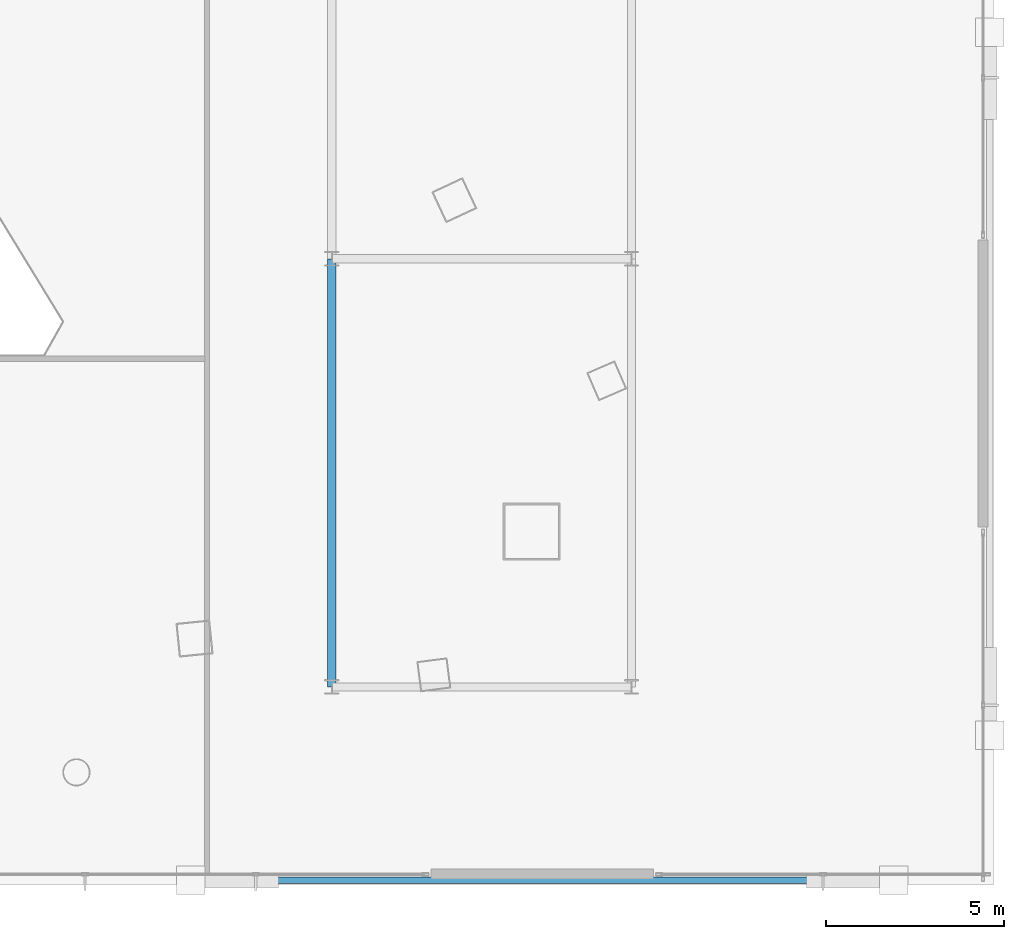
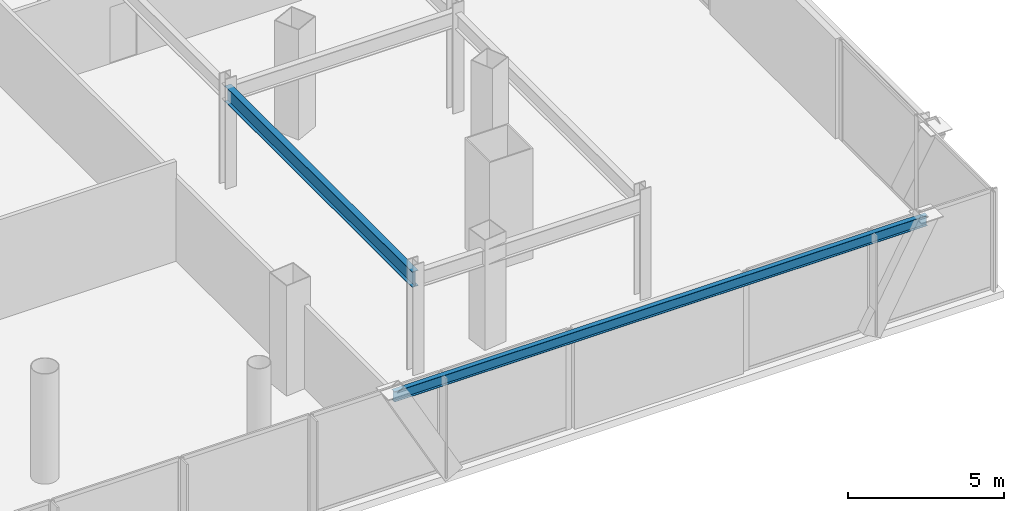
# One storey, part 14 of 46: 2 beams.
"""IFC4 building model written with IfcOpenShell, lengths in metres."""

from ifc_helpers import new_model, si_unit, direction, frame, origin, origin_2d, place, context, subcontext, project, spatial, i_section, extrude, material, material_profile, profile_set, type_object, element, save


model = new_model("IFC4")

# Units and contexts
model_context = context("Model", 3, precision=1e-05, world=origin(), true_north=direction((0.0, 1.0)))
body_context = subcontext(model_context, "Body", "Model", "MODEL_VIEW")
ifc_project = project(units=[si_unit("LENGTHUNIT", "METRE"), si_unit("AREAUNIT", "SQUARE_METRE"), si_unit("VOLUMEUNIT", "CUBIC_METRE"), si_unit("PLANEANGLEUNIT", "RADIAN"), si_unit("MASSUNIT", "GRAM", prefix="KILO")], contexts=[model_context])

# Site, building, storey
site_placement = place(None, origin())
site = spatial("IfcSite", under=ifc_project, at=site_placement, CompositionType="ELEMENT")
building_placement = place(site_placement, origin())
building = spatial("IfcBuilding", under=site, at=building_placement, Name="Orvanel Arch Residences", CompositionType="ELEMENT")
storey_placement = place(building_placement, frame((0.0, 0.0, 14.10009765625)))
storey = spatial("IfcBuildingStorey", under=building, at=storey_placement, Name="L03", CompositionType="ELEMENT", Elevation=14.10009765625)

# Beams
ifc_material = material(Name="Structural steel AS/NZS 3679.1 Grade 300 (300 MPa)", Category="steel")
ifc_material_profile_1 = material_profile(ifc_material, i_section(OverallWidth=0.22900390625, OverallDepth=0.612060546875, WebThickness=0.011962890625, FlangeThickness=0.01953125, at=origin_2d()), Name="610UB125")
ifc_profile_set_1 = profile_set([ifc_material_profile_1], Name="Structural steel AS/NZS 3679.1 Grade 300 (300 MPa)")
beam_type_1 = type_object("IfcBeamType", Name="BG-610UB", PredefinedType="BEAM", material=ifc_profile_set_1)
beam_1_placement = place(storey_placement, frame((46.199951171875, 6.0, 3.593994140625), z_axis=(0.0, 1.0, 0.0), x_axis=(-1.0, 0.0, 0.0)))
element("IfcBeam", 1, at=beam_1_placement, inside=storey, type_object=beam_type_1, Name="L03 North-South Podium Girder XE46-S", PredefinedType="BEAM", context=body_context, shape_type="SweptSolid", body=[
    extrude(i_section(OverallWidth=0.22900390625, OverallDepth=0.612060546875, WebThickness=0.011962890625, FlangeThickness=0.01953125, at=origin_2d()), origin(), (0.0, 0.0, 1.0), 12.0),
])
ifc_material_profile_2 = material_profile(ifc_material, i_section(OverallWidth=0.177978515625, OverallDepth=0.406005859375, WebThickness=0.0078125, FlangeThickness=0.0126953125, at=origin_2d()), Name="410UB59.7")
ifc_profile_set_2 = profile_set([ifc_material_profile_2], Name="Structural steel AS/NZS 3679.1 Grade 300 (300 MPa)")
beam_type_2 = type_object("IfcBeamType", Name="OB-410UB-EXT", PredefinedType="SPANDREL", material=ifc_profile_set_2)
beam_2_placement = place(storey_placement, frame((42.25, 0.580078125, 3.697021484375), z_axis=(1.0, 0.0, 0.0), x_axis=(0.0, 1.0, 0.0)))
element("IfcBeam", 2, at=beam_2_placement, inside=storey, type_object=beam_type_2, Name="L03 Podium V-Frame Collector Spandrel Beam SE", PredefinedType="SPANDREL", context=body_context, shape_type="SweptSolid", body=[
    extrude(i_section(OverallWidth=0.177978515625, OverallDepth=0.406005859375, WebThickness=0.0078125, FlangeThickness=0.0126953125, at=origin_2d()), origin(), (0.0, 0.0, 1.0), 19.699951171875),
])

save(model, "model.ifc")
